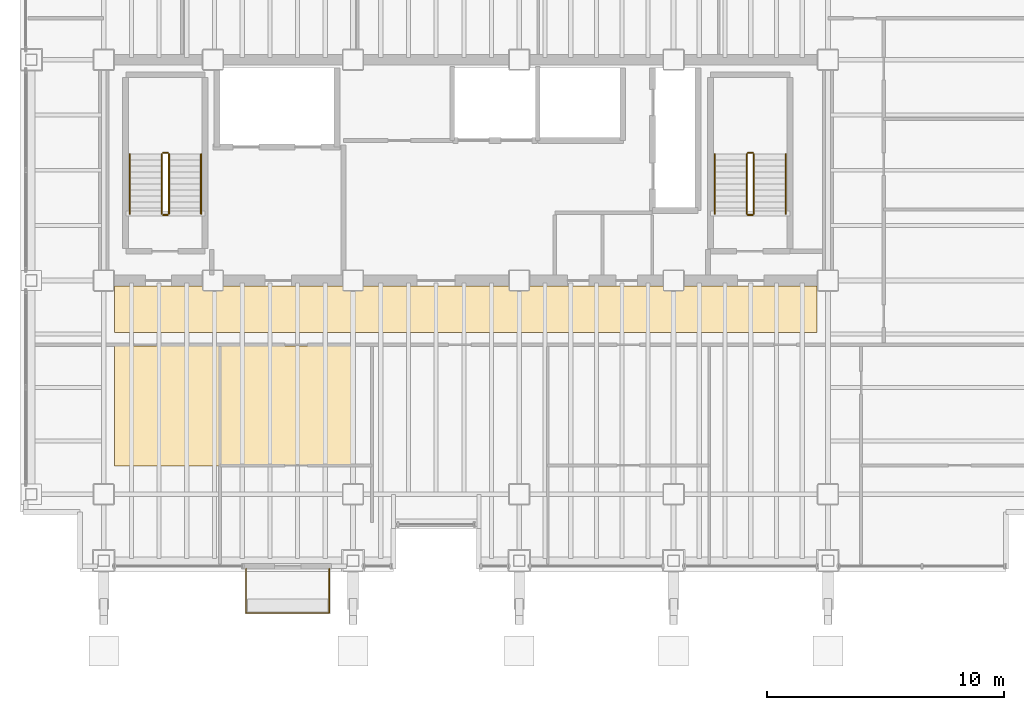
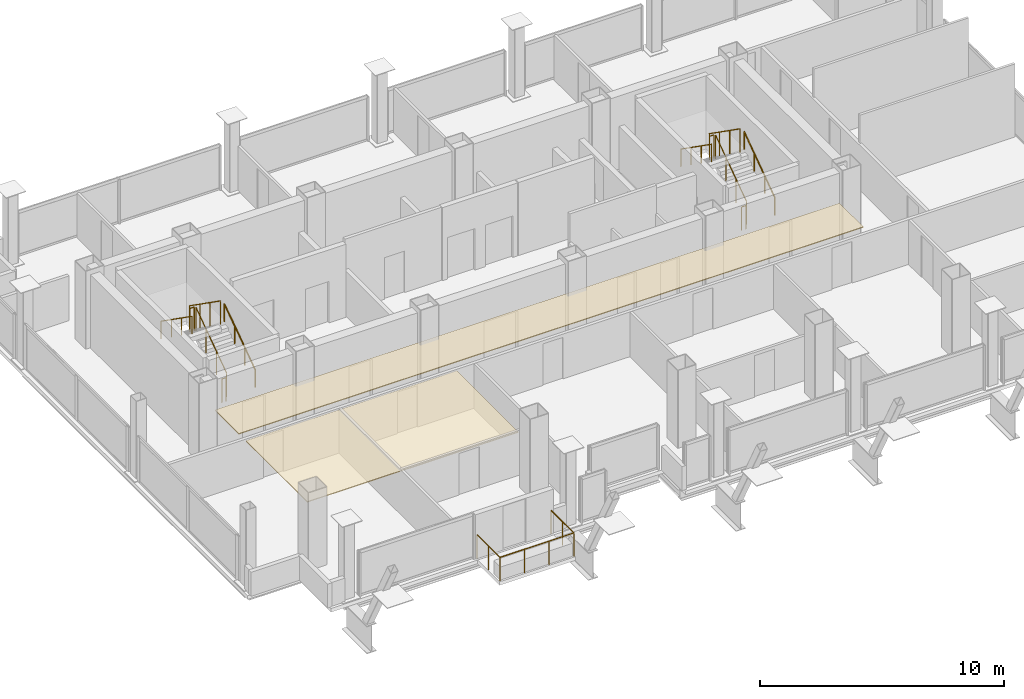
# One storey, part 16 of 16: 13 railings, 2 coverings.
"""IFC4 building model written with IfcOpenShell, lengths in metres."""

from ifc_helpers import new_model, si_unit, direction, frame, origin, origin_2d, place, context, subcontext, project, spatial, polyline, circle, outline, extrude, material, layer, layer_set, type_object, element, save


model = new_model("IFC4")

# Units and contexts
model_context = context("Model", 3, precision=1e-05, world=origin(), true_north=direction((0.0, 1.0)))
body_context = subcontext(model_context, "Body", "Model", "MODEL_VIEW")
ifc_project = project(units=[si_unit("LENGTHUNIT", "METRE"), si_unit("AREAUNIT", "SQUARE_METRE"), si_unit("VOLUMEUNIT", "CUBIC_METRE"), si_unit("PLANEANGLEUNIT", "RADIAN"), si_unit("MASSUNIT", "GRAM", prefix="KILO")], contexts=[model_context])

# Site, building, storey
site_placement = place(None, origin())
site = spatial("IfcSite", under=ifc_project, at=site_placement, CompositionType="ELEMENT")
building_placement = place(site_placement, origin())
building = spatial("IfcBuilding", under=site, at=building_placement, Name="Noeulbin Bourse Tower", CompositionType="ELEMENT")
storey_placement = place(building_placement, frame((0.0, 0.0, 192.89990234375)))
storey = spatial("IfcBuildingStorey", under=building, at=storey_placement, Name="L48", CompositionType="ELEMENT", Elevation=192.89990234375)

# Coverings
ifc_material_1 = material(Name="Perforated Mineral-Fibre Acoustic Tile")
ifc_layer_1 = layer(ifc_material_1, 0.0400390625)
ifc_layer_set_1 = layer_set([ifc_layer_1], Name="Perforated Mineral-Fibre Acoustic Tile")
covering_type = type_object("IfcCoveringType", Name="COV-CEIL-ACT", PredefinedType="CEILING", material=ifc_layer_set_1)
covering_1_placement = place(storey_placement, frame((0.0, 0.0, 2.110107421875)))
element("IfcCovering", 1, at=covering_1_placement, inside=storey, type_object=covering_type, Name="Corridor Suspended Ceiling L48", PredefinedType="CEILING", context=body_context, shape_type="SweptSolid", body=[
    extrude(outline(polyline([(13.949951171875, 26.820068359375), (43.550048828125, 26.820068359375), (43.550048828125, 28.780029296875), (13.949951171875, 28.780029296875), (13.949951171875, 26.820068359375)])), origin(), (0.0, 0.0, 1.0), 0.0400390625),
])
covering_2_placement = place(storey_placement, frame((0.0, 0.0, 2.110107421875)))
element("IfcCovering", 2, at=covering_2_placement, inside=storey, type_object=covering_type, Name="Trading Suite Acoustic Ceiling L48", PredefinedType="CEILING", context=body_context, shape_type="SweptSolid", body=[
    extrude(outline(polyline([(13.949951171875, 21.199951171875), (23.949951171875, 21.199951171875), (23.949951171875, 26.25), (13.949951171875, 26.25), (13.949951171875, 21.199951171875)])), origin(), (0.0, 0.0, 1.0), 0.0400390625),
])

# Railings
ifc_material_2 = material(Name="Laminated SentryGlas and Stainless Steel 316", Category="steel")
ifc_layer_2 = layer(ifc_material_2, 0.06005859375)
ifc_layer_set_2 = layer_set([ifc_layer_2], Name="Laminated SentryGlas and Stainless Steel 316")
railing_type_1 = type_object("IfcRailingType", Name="RLG-BAL-1200", PredefinedType="BALUSTRADE", material=ifc_layer_set_2)
railing_1_placement = place(storey_placement, frame((19.5, 16.8701171875, 0.0)))
element("IfcRailing", 3, at=railing_1_placement, inside=storey, type_object=railing_type_1, Name="Tree-Balcony Glazed Balustrade L48", PredefinedType="BALUSTRADE", context=body_context, shape_type="SweptSolid", body=[
    extrude(circle(Radius=0.02392578125, at=origin_2d()), frame((0.0, 0.0, 1.17578125), z_axis=(0.0, -1.0, 0.0), x_axis=(1.0, 0.0, 0.0)), (0.0, 0.0, 1.0), 1.8701171875),
    extrude(circle(Radius=0.02392578125, at=origin_2d()), frame((0.0, -1.8701171875, 1.17578125), z_axis=(1.0, 0.0, 0.0), x_axis=(0.0, 1.0, 0.0)), (0.0, 0.0, 1.0), 3.5),
    extrude(circle(Radius=0.02392578125, at=origin_2d()), frame((3.5, -1.8701171875, 1.17578125), z_axis=(0.0, 1.0, 0.0), x_axis=(-1.0, 0.0, 0.0)), (0.0, 0.0, 1.0), 1.8701171875),
    extrude(circle(Radius=0.02099609375, at=origin_2d()), origin(), (0.0, 0.0, 1.0), 1.15185546875),
    extrude(circle(Radius=0.02099609375, at=origin_2d()), frame((0.0, -0.93505859375, 0.0)), (0.0, 0.0, 1.0), 1.15185546875),
    extrude(circle(Radius=0.02099609375, at=origin_2d()), frame((0.0, -1.8701171875, 0.0)), (0.0, 0.0, 1.0), 1.15185546875),
    extrude(circle(Radius=0.02099609375, at=origin_2d()), frame((1.166748046875, -1.8701171875, 0.0)), (0.0, 0.0, 1.0), 1.15185546875),
    extrude(circle(Radius=0.02099609375, at=origin_2d()), frame((2.333251953125, -1.8701171875, 0.0)), (0.0, 0.0, 1.0), 1.15185546875),
    extrude(circle(Radius=0.02099609375, at=origin_2d()), frame((3.5, -1.8701171875, 0.0)), (0.0, 0.0, 1.0), 1.15185546875),
    extrude(circle(Radius=0.02099609375, at=origin_2d()), frame((3.5, -0.93505859375, 0.0)), (0.0, 0.0, 1.0), 1.15185546875),
    extrude(circle(Radius=0.02099609375, at=origin_2d()), frame((3.5, 0.0, 0.0)), (0.0, 0.0, 1.0), 1.15185546875),
])
ifc_material_3 = material(Name="Painted Tubular Steel S355", Category="steel")
ifc_layer_3 = layer(ifc_material_3, 0.048095703125)
ifc_layer_set_3 = layer_set([ifc_layer_3], Name="Painted Tubular Steel S355")
railing_type_2 = type_object("IfcRailingType", Name="RLG-STR-GRD", PredefinedType="GUARDRAIL", material=ifc_layer_set_3)
railing_2_placement = place(storey_placement, frame((16.25, 31.81005859375, 0.177490234375)))
element("IfcRailing", 4, at=railing_2_placement, inside=storey, type_object=railing_type_2, Name="L48 ST-1 stair guard 1", PredefinedType="GUARDRAIL", context=body_context, shape_type="SweptSolid", body=[
    extrude(circle(Radius=0.02392578125, at=origin_2d()), frame((0.0, 0.0, 1.17578125), z_axis=(0.0, 0.817904474719, 0.575354039036), x_axis=(-1.0, 0.0, 0.0)), (0.0, 0.0, 1.0), 3.0810546875),
    extrude(circle(Radius=0.02099609375, at=origin_2d()), origin(), (0.0, 0.0, 1.0), 1.15185546875),
    extrude(circle(Radius=0.02099609375, at=origin_2d()), frame((0.0, 0.840087890625, 0.5908203125)), (0.0, 0.0, 1.0), 1.15185546875),
    extrude(circle(Radius=0.02099609375, at=origin_2d()), frame((0.0, 1.679931640625, 1.181884765625)), (0.0, 0.0, 1.0), 1.15185546875),
    extrude(circle(Radius=0.02099609375, at=origin_2d()), frame((0.0, 2.52001953125, 1.772705078125)), (0.0, 0.0, 1.0), 1.15185546875),
])
railing_3_placement = place(storey_placement, frame((16.199951171875, 34.3798828125, 1.9501953125)))
element("IfcRailing", 5, at=railing_3_placement, inside=storey, type_object=railing_type_2, Name="L48 ST-1 stair guard 2", PredefinedType="GUARDRAIL", context=body_context, shape_type="SweptSolid", body=[
    extrude(circle(Radius=0.02392578125, at=origin_2d()), frame((0.0, 0.0, 1.17578125), z_axis=(-1.0, 0.0, 0.0), x_axis=(0.0, -1.0, 0.0)), (0.0, 0.0, 1.0), 0.199951171875),
    extrude(circle(Radius=0.02099609375, at=origin_2d()), origin(), (0.0, 0.0, 1.0), 1.15185546875),
    extrude(circle(Radius=0.02099609375, at=origin_2d()), frame((-0.199951171875, 0.0, 0.0)), (0.0, 0.0, 1.0), 1.15185546875),
])
railing_4_placement = place(storey_placement, frame((15.949951171875, 34.330078125, 2.12744140625)))
element("IfcRailing", 6, at=railing_4_placement, inside=storey, type_object=railing_type_2, Name="L48 ST-1 stair guard 3", PredefinedType="GUARDRAIL", context=body_context, shape_type="SweptSolid", body=[
    extrude(circle(Radius=0.02392578125, at=origin_2d()), frame((0.0, 0.0, 1.17578125), z_axis=(0.0, -0.817904474719, 0.575354039036), x_axis=(1.0, 0.0, 0.0)), (0.0, 0.0, 1.0), 3.0810546875),
    extrude(circle(Radius=0.02099609375, at=origin_2d()), origin(), (0.0, 0.0, 1.0), 1.15185546875),
    extrude(circle(Radius=0.02099609375, at=origin_2d()), frame((0.0, -0.840087890625, 0.5908203125)), (0.0, 0.0, 1.0), 1.15185546875),
    extrude(circle(Radius=0.02099609375, at=origin_2d()), frame((0.0, -1.679931640625, 1.181884765625)), (0.0, 0.0, 1.0), 1.15185546875),
    extrude(circle(Radius=0.02099609375, at=origin_2d()), frame((0.0, -2.52001953125, 1.772705078125)), (0.0, 0.0, 1.0), 1.15185546875),
])
railing_5_placement = place(storey_placement, frame((16.199951171875, 31.760009765625, 0.0)))
element("IfcRailing", 7, at=railing_5_placement, inside=storey, type_object=railing_type_2, Name="L48 ST-1 stair guard 4", PredefinedType="GUARDRAIL", context=body_context, shape_type="SweptSolid", body=[
    extrude(circle(Radius=0.02392578125, at=origin_2d()), frame((0.0, 0.0, 1.17578125), z_axis=(-1.0, 0.0, 0.0), x_axis=(0.0, -1.0, 0.0)), (0.0, 0.0, 1.0), 0.199951171875),
    extrude(circle(Radius=0.02099609375, at=origin_2d()), origin(), (0.0, 0.0, 1.0), 1.15185546875),
    extrude(circle(Radius=0.02099609375, at=origin_2d()), frame((-0.199951171875, 0.0, 0.0)), (0.0, 0.0, 1.0), 1.15185546875),
])
railing_6_placement = place(storey_placement, frame((40.8798828125, 31.81005859375, 0.177490234375)))
element("IfcRailing", 8, at=railing_6_placement, inside=storey, type_object=railing_type_2, Name="L48 ST-2 stair guard 1", PredefinedType="GUARDRAIL", context=body_context, shape_type="SweptSolid", body=[
    extrude(circle(Radius=0.02392578125, at=origin_2d()), frame((0.0, 0.0, 1.17578125), z_axis=(0.0, 0.817904474719, 0.575354039036), x_axis=(-1.0, 0.0, 0.0)), (0.0, 0.0, 1.0), 3.0810546875),
    extrude(circle(Radius=0.02099609375, at=origin_2d()), origin(), (0.0, 0.0, 1.0), 1.15185546875),
    extrude(circle(Radius=0.02099609375, at=origin_2d()), frame((0.0, 0.840087890625, 0.5908203125)), (0.0, 0.0, 1.0), 1.15185546875),
    extrude(circle(Radius=0.02099609375, at=origin_2d()), frame((0.0, 1.679931640625, 1.181884765625)), (0.0, 0.0, 1.0), 1.15185546875),
    extrude(circle(Radius=0.02099609375, at=origin_2d()), frame((0.0, 2.52001953125, 1.772705078125)), (0.0, 0.0, 1.0), 1.15185546875),
])
railing_7_placement = place(storey_placement, frame((40.830078125, 34.3798828125, 1.9501953125)))
element("IfcRailing", 9, at=railing_7_placement, inside=storey, type_object=railing_type_2, Name="L48 ST-2 stair guard 2", PredefinedType="GUARDRAIL", context=body_context, shape_type="SweptSolid", body=[
    extrude(circle(Radius=0.02392578125, at=origin_2d()), frame((0.0, 0.0, 1.17578125), z_axis=(-1.0, 0.0, 0.0), x_axis=(0.0, -1.0, 0.0)), (0.0, 0.0, 1.0), 0.2001953125),
    extrude(circle(Radius=0.02099609375, at=origin_2d()), origin(), (0.0, 0.0, 1.0), 1.15185546875),
    extrude(circle(Radius=0.02099609375, at=origin_2d()), frame((-0.2001953125, 0.0, 0.0)), (0.0, 0.0, 1.0), 1.15185546875),
])
railing_8_placement = place(storey_placement, frame((40.580078125, 34.330078125, 2.12744140625)))
element("IfcRailing", 10, at=railing_8_placement, inside=storey, type_object=railing_type_2, Name="L48 ST-2 stair guard 3", PredefinedType="GUARDRAIL", context=body_context, shape_type="SweptSolid", body=[
    extrude(circle(Radius=0.02392578125, at=origin_2d()), frame((0.0, 0.0, 1.17578125), z_axis=(0.0, -0.817904474719, 0.575354039036), x_axis=(1.0, 0.0, 0.0)), (0.0, 0.0, 1.0), 3.0810546875),
    extrude(circle(Radius=0.02099609375, at=origin_2d()), origin(), (0.0, 0.0, 1.0), 1.15185546875),
    extrude(circle(Radius=0.02099609375, at=origin_2d()), frame((0.0, -0.840087890625, 0.5908203125)), (0.0, 0.0, 1.0), 1.15185546875),
    extrude(circle(Radius=0.02099609375, at=origin_2d()), frame((0.0, -1.679931640625, 1.181884765625)), (0.0, 0.0, 1.0), 1.15185546875),
    extrude(circle(Radius=0.02099609375, at=origin_2d()), frame((0.0, -2.52001953125, 1.772705078125)), (0.0, 0.0, 1.0), 1.15185546875),
])
railing_9_placement = place(storey_placement, frame((40.830078125, 31.760009765625, 0.0)))
element("IfcRailing", 11, at=railing_9_placement, inside=storey, type_object=railing_type_2, Name="L48 ST-2 stair guard 4", PredefinedType="GUARDRAIL", context=body_context, shape_type="SweptSolid", body=[
    extrude(circle(Radius=0.02392578125, at=origin_2d()), frame((0.0, 0.0, 1.17578125), z_axis=(-1.0, 0.0, 0.0), x_axis=(0.0, -1.0, 0.0)), (0.0, 0.0, 1.0), 0.2001953125),
    extrude(circle(Radius=0.02099609375, at=origin_2d()), origin(), (0.0, 0.0, 1.0), 1.15185546875),
    extrude(circle(Radius=0.02099609375, at=origin_2d()), frame((-0.2001953125, 0.0, 0.0)), (0.0, 0.0, 1.0), 1.15185546875),
])
ifc_material_4 = material(Name="Brushed Stainless Steel 316", Category="steel")
ifc_layer_4 = layer(ifc_material_4, 0.048095703125)
ifc_layer_set_4 = layer_set([ifc_layer_4], Name="Brushed Stainless Steel 316")
railing_type_3 = type_object("IfcRailingType", Name="RLG-STR-HND", PredefinedType="HANDRAIL", material=ifc_layer_set_4)
railing_10_placement = place(storey_placement, frame((17.60009765625, 31.81005859375, 0.177490234375)))
element("IfcRailing", 12, at=railing_10_placement, inside=storey, type_object=railing_type_3, Name="L48 ST-1 stair handrail 1", PredefinedType="HANDRAIL", context=body_context, shape_type="SweptSolid", body=[
    extrude(circle(Radius=0.02392578125, at=origin_2d()), frame((0.0, 0.0, 0.8759765625), z_axis=(0.0, 0.817904474719, 0.575354039036), x_axis=(-1.0, 0.0, 0.0)), (0.0, 0.0, 1.0), 3.0810546875),
    extrude(circle(Radius=0.02099609375, at=origin_2d()), origin(), (0.0, 0.0, 1.0), 0.851806640625),
    extrude(circle(Radius=0.02099609375, at=origin_2d()), frame((0.0, 0.840087890625, 0.5908203125)), (0.0, 0.0, 1.0), 0.851806640625),
    extrude(circle(Radius=0.02099609375, at=origin_2d()), frame((0.0, 1.679931640625, 1.181884765625)), (0.0, 0.0, 1.0), 0.851806640625),
    extrude(circle(Radius=0.02099609375, at=origin_2d()), frame((0.0, 2.52001953125, 1.772705078125)), (0.0, 0.0, 1.0), 0.851806640625),
])
railing_11_placement = place(storey_placement, frame((14.60009765625, 34.330078125, 2.12744140625)))
element("IfcRailing", 13, at=railing_11_placement, inside=storey, type_object=railing_type_3, Name="L48 ST-1 stair handrail 2", PredefinedType="HANDRAIL", context=body_context, shape_type="SweptSolid", body=[
    extrude(circle(Radius=0.02392578125, at=origin_2d()), frame((0.0, 0.0, 0.8759765625), z_axis=(0.0, -0.817904474719, 0.575354039036), x_axis=(1.0, 0.0, 0.0)), (0.0, 0.0, 1.0), 3.0810546875),
    extrude(circle(Radius=0.02099609375, at=origin_2d()), origin(), (0.0, 0.0, 1.0), 0.851806640625),
    extrude(circle(Radius=0.02099609375, at=origin_2d()), frame((0.0, -0.840087890625, 0.5908203125)), (0.0, 0.0, 1.0), 0.851806640625),
    extrude(circle(Radius=0.02099609375, at=origin_2d()), frame((0.0, -1.679931640625, 1.181884765625)), (0.0, 0.0, 1.0), 0.851806640625),
    extrude(circle(Radius=0.02099609375, at=origin_2d()), frame((0.0, -2.52001953125, 1.772705078125)), (0.0, 0.0, 1.0), 0.851806640625),
])
railing_12_placement = place(storey_placement, frame((42.22998046875, 31.81005859375, 0.177490234375)))
element("IfcRailing", 14, at=railing_12_placement, inside=storey, type_object=railing_type_3, Name="L48 ST-2 stair handrail 1", PredefinedType="HANDRAIL", context=body_context, shape_type="SweptSolid", body=[
    extrude(circle(Radius=0.02392578125, at=origin_2d()), frame((0.0, 0.0, 0.8759765625), z_axis=(0.0, 0.817904474719, 0.575354039036), x_axis=(-1.0, 0.0, 0.0)), (0.0, 0.0, 1.0), 3.0810546875),
    extrude(circle(Radius=0.02099609375, at=origin_2d()), origin(), (0.0, 0.0, 1.0), 0.851806640625),
    extrude(circle(Radius=0.02099609375, at=origin_2d()), frame((0.0, 0.840087890625, 0.5908203125)), (0.0, 0.0, 1.0), 0.851806640625),
    extrude(circle(Radius=0.02099609375, at=origin_2d()), frame((0.0, 1.679931640625, 1.181884765625)), (0.0, 0.0, 1.0), 0.851806640625),
    extrude(circle(Radius=0.02099609375, at=origin_2d()), frame((0.0, 2.52001953125, 1.772705078125)), (0.0, 0.0, 1.0), 0.851806640625),
])
railing_13_placement = place(storey_placement, frame((39.22998046875, 34.330078125, 2.12744140625)))
element("IfcRailing", 15, at=railing_13_placement, inside=storey, type_object=railing_type_3, Name="L48 ST-2 stair handrail 2", PredefinedType="HANDRAIL", context=body_context, shape_type="SweptSolid", body=[
    extrude(circle(Radius=0.02392578125, at=origin_2d()), frame((0.0, 0.0, 0.8759765625), z_axis=(0.0, -0.817904474719, 0.575354039036), x_axis=(1.0, 0.0, 0.0)), (0.0, 0.0, 1.0), 3.0810546875),
    extrude(circle(Radius=0.02099609375, at=origin_2d()), origin(), (0.0, 0.0, 1.0), 0.851806640625),
    extrude(circle(Radius=0.02099609375, at=origin_2d()), frame((0.0, -0.840087890625, 0.5908203125)), (0.0, 0.0, 1.0), 0.851806640625),
    extrude(circle(Radius=0.02099609375, at=origin_2d()), frame((0.0, -1.679931640625, 1.181884765625)), (0.0, 0.0, 1.0), 0.851806640625),
    extrude(circle(Radius=0.02099609375, at=origin_2d()), frame((0.0, -2.52001953125, 1.772705078125)), (0.0, 0.0, 1.0), 0.851806640625),
])

save(model, "model.ifc")
